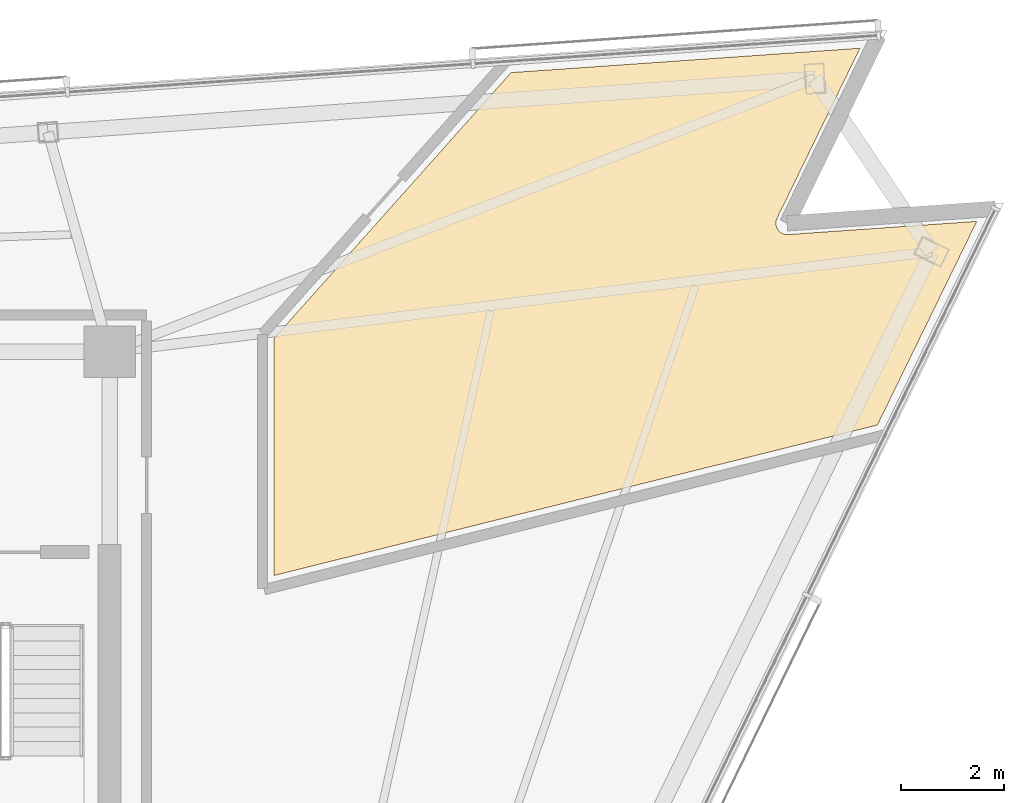
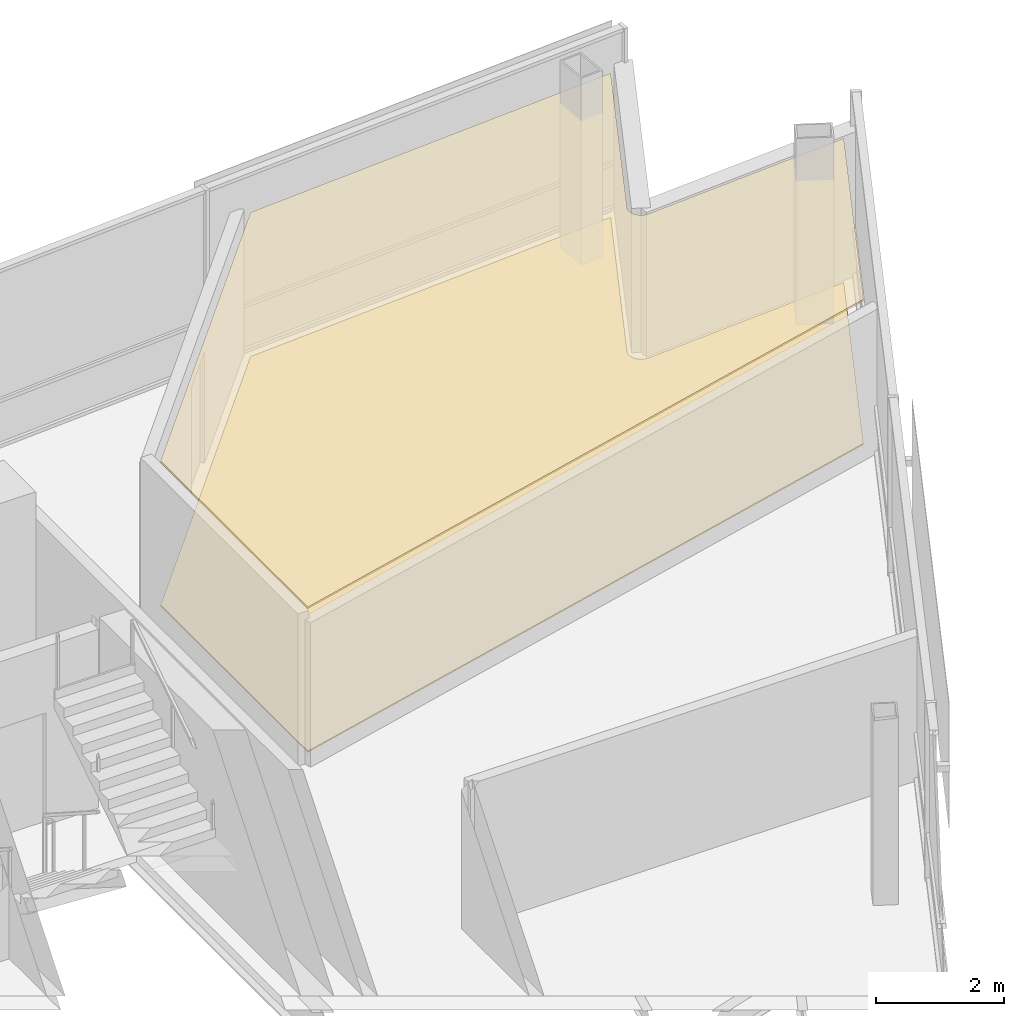
# One storey, part 16 of 16: 2 coverings.
"""IFC4 building model written with IfcOpenShell, lengths in metres."""

from ifc_helpers import new_model, si_unit, direction, frame, origin, place, context, subcontext, project, spatial, polyline, outline, extrude, material, layer, layer_set, type_object, element, save


model = new_model("IFC4")

# Units and contexts
model_context = context("Model", 3, precision=1e-05, world=origin(), true_north=direction((0.0, 1.0)))
body_context = subcontext(model_context, "Body", "Model", "MODEL_VIEW")
ifc_project = project(units=[si_unit("LENGTHUNIT", "METRE"), si_unit("AREAUNIT", "SQUARE_METRE"), si_unit("VOLUMEUNIT", "CUBIC_METRE"), si_unit("PLANEANGLEUNIT", "RADIAN"), si_unit("MASSUNIT", "GRAM", prefix="KILO")], contexts=[model_context])

# Site, building, storey
site_placement = place(None, origin())
site = spatial("IfcSite", under=ifc_project, at=site_placement, CompositionType="ELEMENT")
building_placement = place(site_placement, origin())
building = spatial("IfcBuilding", under=site, at=building_placement, Name="Tharavind Bronze Gate", CompositionType="ELEMENT")
storey_placement = place(building_placement, frame((0.0, 0.0, 257.0)))
storey = spatial("IfcBuildingStorey", under=building, at=storey_placement, Name="L66", CompositionType="ELEMENT", Elevation=257.0)

# Coverings
ifc_material_1 = material(Name="Engineered Oak & Carpet Tile", Category="wood")
ifc_layer_1 = layer(ifc_material_1, 0.02490234375)
ifc_layer_set_1 = layer_set([ifc_layer_1], Name="Engineered Oak & Carpet Tile")
covering_type_1 = type_object("IfcCoveringType", Name="ENGINEERED TIMBER FLOORING", PredefinedType="FLOORING", material=ifc_layer_set_1)
covering_1_placement = place(storey_placement, origin())
element("IfcCovering", 1, at=covering_1_placement, inside=storey, type_object=covering_type_1, Name="L66-RM-01 floor finish", PredefinedType="FLOORING", context=body_context, shape_type="SweptSolid", body=[
    extrude(outline(polyline([(23.855224609375, 6.174560546875), (25.79052734375, 10.142578125), (22.11328125, 9.885498046875), (22.102294921875, 9.885009765625), (22.1015625, 9.885009765625), (22.07958984375, 9.885498046875), (22.05810546875, 9.888427734375), (22.03662109375, 9.893310546875), (22.015869140625, 9.900390625), (21.995849609375, 9.90966796875), (21.97705078125, 9.920654296875), (21.959228515625, 9.93359375), (21.94287109375, 9.947998046875), (21.927978515625, 9.96435546875), (21.914794921875, 9.981689453125), (21.903564453125, 10.00048828125), (21.89404296875, 10.0205078125), (21.88671875, 10.041015625), (21.88134765625, 10.062255859375), (21.878173828125, 10.083984375), (21.877197265625, 10.10595703125), (21.87841796875, 10.127685546875), (21.8818359375, 10.1494140625), (21.88720703125, 10.170654296875), (21.89501953125, 10.19140625), (21.895263671875, 10.19189453125), (21.899658203125, 10.201904296875), (23.515625, 13.51513671875), (16.718994140625, 13.039794921875), (12.10009765625, 7.86181640625), (12.10009765625, 3.24365234375), (23.855224609375, 6.174560546875)])), origin(), (0.0, 0.0, 1.0), 0.02490234375),
])
ifc_material_2 = material(Name="Acoustic Gypsum Board", Category="gypsum")
ifc_layer_2 = layer(ifc_material_2, 0.030029296875)
ifc_layer_set_2 = layer_set([ifc_layer_2], Name="Acoustic Gypsum Board")
covering_type_2 = type_object("IfcCoveringType", Name="GYPSUM SUSPENDED CEILING", PredefinedType="CEILING", material=ifc_layer_set_2)
covering_2_placement = place(storey_placement, frame((0.0, 0.0, 2.75)))
element("IfcCovering", 2, at=covering_2_placement, inside=storey, type_object=covering_type_2, Name="L66-RM-01 suspended ceiling", PredefinedType="CEILING", context=body_context, shape_type="SweptSolid", body=[
    extrude(outline(polyline([(23.855224609375, 6.174560546875), (25.79052734375, 10.142578125), (22.11328125, 9.885498046875), (22.102294921875, 9.885009765625), (22.1015625, 9.885009765625), (22.07958984375, 9.885498046875), (22.05810546875, 9.888427734375), (22.03662109375, 9.893310546875), (22.015869140625, 9.900390625), (21.995849609375, 9.90966796875), (21.97705078125, 9.920654296875), (21.959228515625, 9.93359375), (21.94287109375, 9.947998046875), (21.927978515625, 9.96435546875), (21.914794921875, 9.981689453125), (21.903564453125, 10.00048828125), (21.89404296875, 10.0205078125), (21.88671875, 10.041015625), (21.88134765625, 10.062255859375), (21.878173828125, 10.083984375), (21.877197265625, 10.10595703125), (21.87841796875, 10.127685546875), (21.8818359375, 10.1494140625), (21.88720703125, 10.170654296875), (21.89501953125, 10.19140625), (21.895263671875, 10.19189453125), (21.899658203125, 10.201904296875), (23.515625, 13.51513671875), (16.718994140625, 13.039794921875), (12.10009765625, 7.86181640625), (12.10009765625, 3.24365234375), (23.855224609375, 6.174560546875)])), origin(), (0.0, 0.0, 1.0), 0.034912109375),
])

save(model, "model.ifc")
